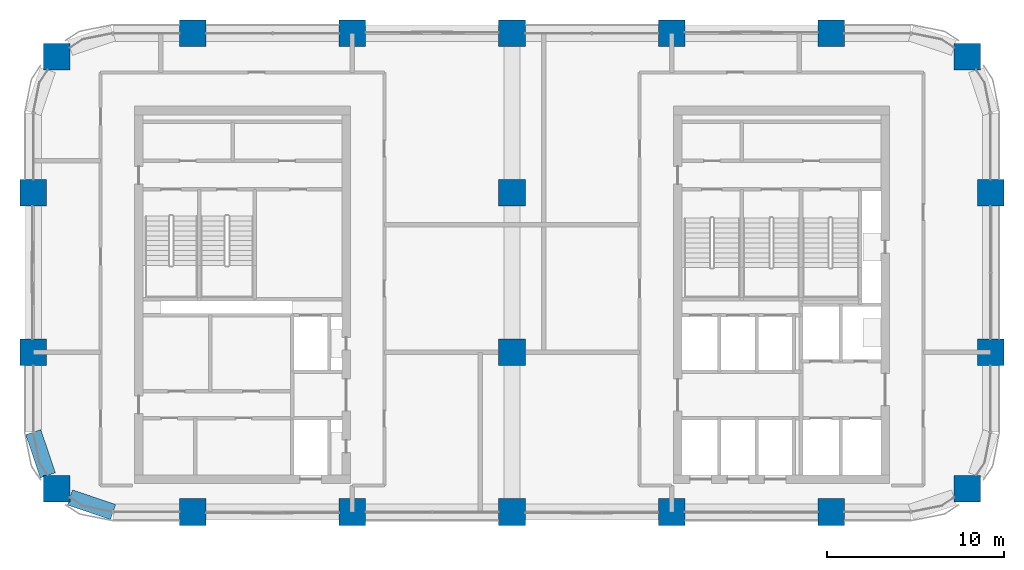
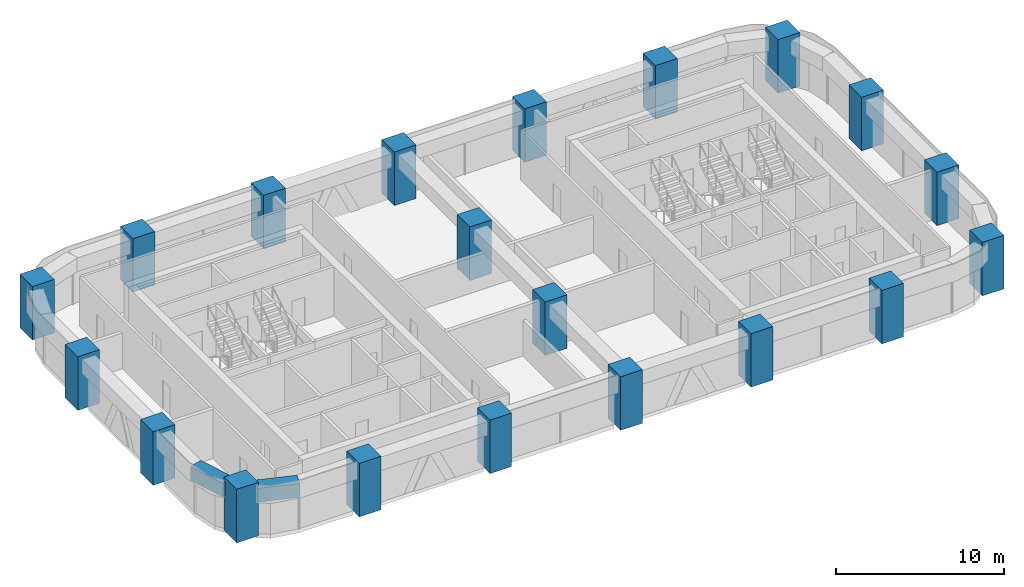
# One storey, part 1 of 18: 20 columns, 2 beams.
"""IFC4 building model written with IfcOpenShell, lengths in metres."""

from ifc_helpers import new_model, si_unit, direction, frame, origin, origin_2d, place, context, subcontext, project, spatial, rectangle, extrude, material, material_profile, profile_set, type_object, element, save


model = new_model("IFC4")

# Units and contexts
model_context = context("Model", 3, precision=1e-05, world=origin(), true_north=direction((0.0, 1.0)))
body_context = subcontext(model_context, "Body", "Model", "MODEL_VIEW")
ifc_project = project(units=[si_unit("LENGTHUNIT", "METRE"), si_unit("AREAUNIT", "SQUARE_METRE"), si_unit("VOLUMEUNIT", "CUBIC_METRE"), si_unit("PLANEANGLEUNIT", "RADIAN"), si_unit("MASSUNIT", "GRAM", prefix="KILO")], contexts=[model_context])

# Site, building, storey
site_placement = place(None, origin())
site = spatial("IfcSite", under=ifc_project, at=site_placement, CompositionType="ELEMENT")
building_placement = place(site_placement, origin())
building = spatial("IfcBuilding", under=site, at=building_placement, Name="Tessera Arch", CompositionType="ELEMENT")
storey_placement = place(building_placement, frame((0.0, 0.0, 185.60009765625)))
storey = spatial("IfcBuildingStorey", under=building, at=storey_placement, Name="L44", CompositionType="ELEMENT", Elevation=185.60009765625)

# Columns
ifc_material_1 = material(Name="Concrete C70/85", Category="concrete")
ifc_material_profile_1 = material_profile(ifc_material_1, rectangle(XDim=1.5, YDim=1.5, at=origin_2d()), Name="RC column 1500 x 1500 Concrete C70/85")
ifc_profile_set_1 = profile_set([ifc_material_profile_1], Name="Concrete C70/85")
column_type = type_object("IfcColumnType", Name="RC column 1500 x 1500 Concrete C70/85", PredefinedType="COLUMN", material=ifc_profile_set_1)
for number, where, z_axis, x_axis, name in (
    (1, (1.318115234375, 28.318115234375, 0.0), (0.0, 0.0, 1.0), (1.0, 0.0, 0.0), "Column C1D L44"),
    (2, (0.0, 36.0, 0.0), (0.0, 0.0, 1.0), (1.0, 0.0, 0.0), "Column C1E L44"),
    (3, (0.0, 45.0, 0.0), (0.0, 0.0, 1.0), (1.0, 0.0, 0.0), "Column C1F L44"),
    (4, (1.318115234375, 52.681884765625, 0.0), (0.0, 0.0, 1.0), (1.0, 0.0, 0.0), "Column C1G L44"),
    (5, (9.0, 27.0, 0.0), (0.0, 0.0, 1.0), (1.0, 0.0, 0.0), "Column C2D L44"),
    (6, (9.0, 54.0, 0.0), (0.0, 0.0, 1.0), (1.0, 0.0, 0.0), "Column C2G L44"),
    (7, (18.0, 27.0, 0.0), (0.0, 0.0, 1.0), (1.0, 0.0, 0.0), "Column C3D L44"),
    (8, (18.0, 54.0, 0.0), (0.0, 0.0, 1.0), (1.0, 0.0, 0.0), "Column C3G L44"),
    (9, (27.0, 27.0, 0.0), (0.0, 0.0, 1.0), (1.0, 0.0, 0.0), "Column C4D L44"),
    (10, (27.0, 36.0, 0.0), (0.0, 0.0, 1.0), (1.0, 0.0, 0.0), "Column C4E L44"),
    (11, (27.0, 45.0, 0.0), (0.0, 0.0, 1.0), (1.0, 0.0, 0.0), "Column C4F L44"),
    (12, (27.0, 54.0, 0.0), (0.0, 0.0, 1.0), (1.0, 0.0, 0.0), "Column C4G L44"),
    (13, (36.0, 27.0, 0.0), (0.0, 0.0, 1.0), (1.0, 0.0, 0.0), "Column C5D L44"),
    (14, (36.0, 54.0, 0.0), (0.0, 0.0, 1.0), (1.0, 0.0, 0.0), "Column C5G L44"),
    (15, (45.0, 27.0, 0.0), (0.0, 0.0, 1.0), (1.0, 0.0, 0.0), "Column C6D L44"),
    (16, (45.0, 54.0, 0.0), (0.0, 0.0, 1.0), (1.0, 0.0, 0.0), "Column C6G L44"),
    (17, (52.681884765625, 28.318115234375, 0.0), (0.0, 0.0, 1.0), (1.0, 0.0, 0.0), "Column C7D L44"),
    (18, (54.0, 36.0, 0.0), (0.0, 0.0, 1.0), (1.0, 0.0, 0.0), "Column C7E L44"),
    (19, (54.0, 45.0, 0.0), (0.0, 0.0, 1.0), (1.0, 0.0, 0.0), "Column C7F L44"),
    (20, (52.681884765625, 52.681884765625, 0.0), (0.0, 0.0, 1.0), (1.0, 0.0, 0.0), "Column C7G L44"),
):
    element("IfcColumn", number, at=place(storey_placement, frame(where, z_axis=z_axis, x_axis=x_axis)), inside=storey, type_object=column_type, Name=name, PredefinedType="COLUMN", context=body_context, shape_type="SweptSolid", body=[
        extrude(rectangle(XDim=1.5, YDim=1.5, at=origin_2d()), origin(), (0.0, 0.0, 1.0), 3.89990234375),
    ])

# Beams
ifc_material_2 = material(Name="Concrete C70/85", Category="concrete")
ifc_material_profile_2 = material_profile(ifc_material_2, rectangle(XDim=0.89990234375, YDim=1.0, at=origin_2d()), Name="RC spandrel beam 900 x 1000 Concrete C70/85")
ifc_profile_set_2 = profile_set([ifc_material_profile_2], Name="Concrete C70/85")
beam_type = type_object("IfcBeamType", Name="RC spandrel beam 900 x 1000 Concrete C70/85", PredefinedType="BEAM", material=ifc_profile_set_2)
for number, where, z_axis, x_axis, name in (
    (21, (0.0, 31.5, 3.099853515625), (0.31842525032, -0.947947973234, 0.0), (0.947947973234, 0.31842525032, 0.0), "Spandrel beam L44 W0.27/2.2"),
    (22, (2.068115234375, 27.81689453125, 3.099853515625), (0.947947973234, -0.31842525032, 0.0), (0.31842525032, 0.947947973234, 0.0), "Spandrel beam L44 S27.0/0.1"),
):
    element("IfcBeam", number, at=place(storey_placement, frame(where, z_axis=z_axis, x_axis=x_axis)), inside=storey, type_object=beam_type, Name=name, PredefinedType="BEAM", context=body_context, shape_type="SweptSolid", body=[
        extrude(rectangle(XDim=0.89990234375, YDim=1.0, at=origin_2d()), origin(), (0.0, 0.0, 1.0), 2.5654296875),
    ])

save(model, "model.ifc")
